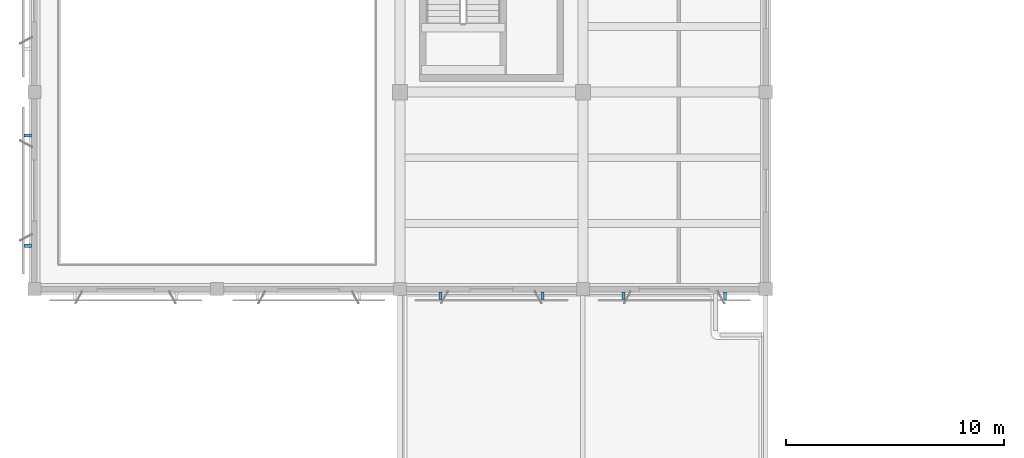
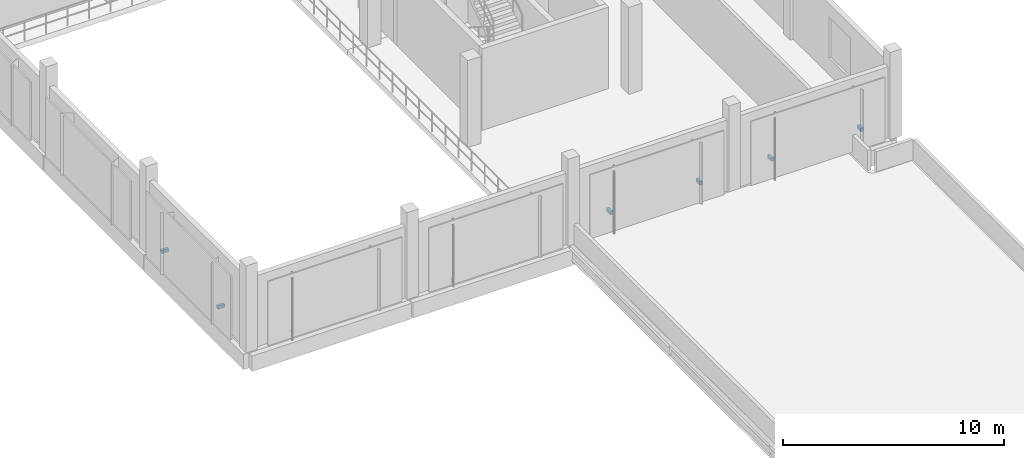
# One storey, part 65 of 80: 6 discrete accessories.
"""IFC4 building model written with IfcOpenShell, lengths in metres."""

import ifcopenshell
import ifcopenshell.guid

model = None  # the IFC model being written
_history = None  # IfcOwnerHistory: only IFC2X3 demands one
_inside = {}  # id of a spatial element -> (the spatial element, [elements in it])
_under = {}  # id of a project, library or spatial element -> (it, [spatial elements below it])
_declared = {}  # id of a project -> (the project, [libraries it declares])
_typed = {}  # id of a type object -> (the type object, [elements of that type])
_made_of = {}  # id of a material, layer set ... -> (it, [elements and type objects made of it])


def new_model(schema):
    """Start an empty IFC model of exactly this schema.

    Asked for "IFC4X3", IfcOpenShell would pick the latest addendum, in which some entities
    have other attributes; the version numbers below select the first issue.
    IFC2X3 requires an IfcOwnerHistory on every rooted entity: one is made here for all.
    """
    global model, _history
    if schema == "IFC4X3":
        model = ifcopenshell.file(schema_version=(4, 3, 0, 0))
    else:
        model = ifcopenshell.file(schema=schema)
    _inside.clear()
    _under.clear()
    _declared.clear()
    _typed.clear()
    _made_of.clear()
    _history = None
    if model.schema == "IFC2X3":
        org = make("IfcOrganization", Name="unknown")
        user = make(
            "IfcPersonAndOrganization",
            ThePerson=make("IfcPerson", FamilyName="unknown"),
            TheOrganization=org,
        )
        app = make(
            "IfcApplication",
            ApplicationDeveloper=org,
            Version="unknown",
            ApplicationFullName="unknown",
            ApplicationIdentifier="unknown",
        )
        _history = make(
            "IfcOwnerHistory",
            OwningUser=user,
            OwningApplication=app,
            ChangeAction="ADDED",
            CreationDate=0,
        )
    return model


def make(cls, **values):
    """One entity of the class cls with the attributes given. An attribute that is None is left unset."""
    return model.create_entity(
        cls, **{name: value for name, value in values.items() if value is not None}
    )


def rooted(cls, **values):
    """An entity with a GlobalId (a new one), such as an element, a storey or a relation."""
    return make(cls, GlobalId=ifcopenshell.guid.new(), OwnerHistory=_history, **values)


def si_unit(unit_type, name, prefix=None):
    """IfcSIUnit, for example si_unit("LENGTHUNIT", "METRE", prefix="MILLI")."""
    return make("IfcSIUnit", UnitType=unit_type, Prefix=prefix, Name=name)


def assignment(units):
    """IfcUnitAssignment: the units of a project."""
    return None if units is None else make("IfcUnitAssignment", Units=units)


def point(xyz):
    """IfcCartesianPoint."""
    return None if xyz is None else make("IfcCartesianPoint", Coordinates=xyz)


def direction(xyz):
    """IfcDirection."""
    return None if xyz is None else make("IfcDirection", DirectionRatios=xyz)


def frame(location, z_axis=None, x_axis=None):
    """IfcAxis2Placement3D, a coordinate frame: its origin and axes. An axis left out is left unset."""
    return make(
        "IfcAxis2Placement3D",
        Location=point(location),
        Axis=direction(z_axis),
        RefDirection=direction(x_axis),
    )


def frame_2d(location, x_axis=None):
    """IfcAxis2Placement2D, a coordinate frame in the plane: its origin and x axis."""
    return make(
        "IfcAxis2Placement2D", Location=point(location), RefDirection=direction(x_axis)
    )


def origin():
    """The frame at (0, 0, 0) with its axes left unset."""
    return frame((0.0, 0.0, 0.0))


def origin_2d():
    """The frame at (0, 0) in the plane with its x axis left unset."""
    return frame_2d((0.0, 0.0))


def place(relative_to, where):
    """IfcLocalPlacement: puts the frame where relative to a parent placement (None: the world)."""
    return make(
        "IfcLocalPlacement", PlacementRelTo=relative_to, RelativePlacement=where
    )


def context(
    kind, dimensions, precision=None, world=None, true_north=None, identifier=None
):
    """IfcGeometricRepresentationContext, for example the 3D "Model" context."""
    return make(
        "IfcGeometricRepresentationContext",
        ContextIdentifier=identifier,
        ContextType=kind,
        CoordinateSpaceDimension=dimensions,
        Precision=precision,
        WorldCoordinateSystem=world,
        TrueNorth=true_north,
    )


def subcontext(parent, identifier, kind, view, scale=None):
    """IfcGeometricRepresentationSubContext, for example "Body" below "Model"."""
    return make(
        "IfcGeometricRepresentationSubContext",
        ContextIdentifier=identifier,
        ContextType=kind,
        ParentContext=parent,
        TargetScale=scale,
        TargetView=view,
    )


def project(units=None, contexts=None):
    """IfcProject with its units and contexts."""
    return rooted(
        "IfcProject",
        Name="project",
        RepresentationContexts=contexts,
        UnitsInContext=assignment(units),
    )


def spatial(cls, under=None, at=None, **own):
    """A site, building, storey or space (cls), placed at a placement, below another one or the project."""
    s = rooted(cls, ObjectPlacement=at, **own)
    if under is not None:
        _under.setdefault(under.id(), (under, []))[1].append(s)
    return s


def profile(cls, at=None, kind="AREA", **sizes):
    """A parametric profile (cls). Its sizes go by their IFC names, for example OverallWidth=200.0."""
    return make(cls, ProfileType=kind, Position=at, **sizes)


def rectangle(**sizes):
    """IfcRectangleProfileDef."""
    return profile("IfcRectangleProfileDef", **sizes)


def extrude(swept, where, along, depth):
    """IfcExtrudedAreaSolid: the profile swept, set in the frame where, extruded along a direction by depth."""
    return make(
        "IfcExtrudedAreaSolid",
        SweptArea=swept,
        Position=where,
        ExtrudedDirection=direction(along),
        Depth=depth,
    )


def shape(context_of_items, identifier, shape_type, items):
    """IfcShapeRepresentation: the items that make up one representation, for example the "Body"."""
    return make(
        "IfcShapeRepresentation",
        ContextOfItems=context_of_items,
        RepresentationIdentifier=identifier,
        RepresentationType=shape_type,
        Items=items,
    )


def material(Name=None, Category=None):
    """IfcMaterial."""
    return make("IfcMaterial", Name=Name, Category=Category)


def made_of(thing, what):
    """Note that an element or type object is made of a material, layer set ...; save() writes the relation."""
    if what is not None:
        _made_of.setdefault(what.id(), (what, []))[1].append(thing)
    return thing


def type_object(cls, material=None, **own):
    """A type object (cls), such as IfcWallType, which elements share."""
    return made_of(rooted(cls, **own), material)


def element(
    cls,
    number,
    at=None,
    inside=None,
    cuts=None,
    type_object=None,
    material=None,
    context=None,
    identifier="Body",
    shape_type=None,
    held_by="IfcProductDefinitionShape",
    body=None,
    shapes=None,
    **own,
):
    """One element of the class cls, such as IfcWall. Its Tag is "e" and its number.

    at: its placement. inside: the storey or other place that contains it. cuts: it is an
    opening in that element (IfcRelVoidsElement). A single representation is given by context,
    identifier, shape_type and body (its items); several are given by shapes. held_by: the class
    of the entity that holds the representations. save() writes the other relations.
    """
    e = rooted(cls, Tag="e%d" % number, ObjectPlacement=at, **own)
    if body is not None:
        shapes = [shape(context, identifier, shape_type, body)]
    if shapes is not None:
        e.Representation = make(held_by, Representations=shapes)
    if inside is not None:
        _inside.setdefault(inside.id(), (inside, []))[1].append(e)
    if cuts is not None:
        rooted(
            "IfcRelVoidsElement", RelatingBuildingElement=cuts, RelatedOpeningElement=e
        )
    if type_object is not None:
        _typed.setdefault(type_object.id(), (type_object, []))[1].append(e)
    return made_of(e, material)


def aggregate(whole, parts):
    """IfcRelAggregates: a whole, such as a stair, and the parts it consists of."""
    return rooted("IfcRelAggregates", RelatingObject=whole, RelatedObjects=parts)


def save(model, path):
    """Write the relations noted so far, then the file.

    IfcRelAggregates (storeys below a building ...), IfcRelContainedInSpatialStructure (elements
    in a storey), IfcRelDefinesByType, IfcRelAssociatesMaterial and IfcRelDeclares: one each for
    every whole, place, type object, material and project.
    """
    for whole, parts in _under.values():
        aggregate(whole, parts)
    for where, things in _inside.values():
        rooted(
            "IfcRelContainedInSpatialStructure",
            RelatedElements=things,
            RelatingStructure=where,
        )
    for kind, things in _typed.values():
        rooted("IfcRelDefinesByType", RelatedObjects=things, RelatingType=kind)
    for what, things in _made_of.values():
        rooted("IfcRelAssociatesMaterial", RelatedObjects=things, RelatingMaterial=what)
    for by, libraries in _declared.values():
        rooted("IfcRelDeclares", RelatingContext=by, RelatedDefinitions=libraries)
    model.write(path)


model = new_model("IFC4")

# Units and contexts
model_context = context("Model", 3, precision=1e-05, world=origin(), true_north=direction((0.0, 1.0)))
body_context = subcontext(model_context, "Body", "Model", "MODEL_VIEW")
ifc_project = project(units=[si_unit("LENGTHUNIT", "METRE"), si_unit("AREAUNIT", "SQUARE_METRE"), si_unit("VOLUMEUNIT", "CUBIC_METRE"), si_unit("PLANEANGLEUNIT", "RADIAN"), si_unit("MASSUNIT", "GRAM", prefix="KILO")], contexts=[model_context])

# Site, building, storey
site_placement = place(None, origin())
site = spatial("IfcSite", under=ifc_project, at=site_placement, CompositionType="ELEMENT")
building_placement = place(site_placement, origin())
building = spatial("IfcBuilding", under=site, at=building_placement, Name="Khurvash Pelagic Aquarium", CompositionType="ELEMENT")
storey_placement = place(building_placement, frame((0.0, 0.0, 10.800048828125)))
storey = spatial("IfcBuildingStorey", under=building, at=storey_placement, Name="L02", CompositionType="ELEMENT", Elevation=10.800048828125)

# Discrete accessories
ifc_material = material(Name="Hot-dip galvanised steel S355J2", Category="steel")
discrete_accessory_type = type_object("IfcDiscreteAccessoryType", Name="BK-01", PredefinedType="BRACKET", material=ifc_material)
for number, where, z_axis, x_axis, name in (
    (1, (-0.304931640625, 63.95703125, 1.10986328125), (0.0, 0.0, 1.0), (0.0, -1.0, 0.0), "L02 Jali Screen Support Bracket BK-01 0055"),
    (2, (-0.304931640625, 58.89306640625, 1.10986328125), (0.0, 0.0, 1.0), (0.0, -1.0, 0.0), "L02 Jali Screen Support Bracket BK-01 0056"),
    (3, (18.6630859375, 56.594970703125, 1.10986328125), (0.0, 0.0, 1.0), (1.0, 0.0, 0.0), "L02 Jali Screen Support Bracket BK-01 0061"),
    (4, (23.3369140625, 56.594970703125, 1.10986328125), (0.0, 0.0, 1.0), (1.0, 0.0, 0.0), "L02 Jali Screen Support Bracket BK-01 0062"),
    (5, (27.06298828125, 56.594970703125, 1.10986328125), (0.0, 0.0, 1.0), (1.0, 0.0, 0.0), "L02 Jali Screen Support Bracket BK-01 0063"),
    (6, (31.737060546875, 56.594970703125, 1.10986328125), (0.0, 0.0, 1.0), (1.0, 0.0, 0.0), "L02 Jali Screen Support Bracket BK-01 0064"),
):
    element("IfcDiscreteAccessory", number, at=place(storey_placement, frame(where, z_axis=z_axis, x_axis=x_axis)), inside=storey, type_object=discrete_accessory_type, Name=name, PredefinedType="BRACKET", context=body_context, shape_type="SweptSolid", body=[
        extrude(rectangle(XDim=0.139892578125, YDim=0.35009765625, at=origin_2d()), origin(), (0.0, 0.0, 1.0), 0.179931640625),
    ])

save(model, "model.ifc")
